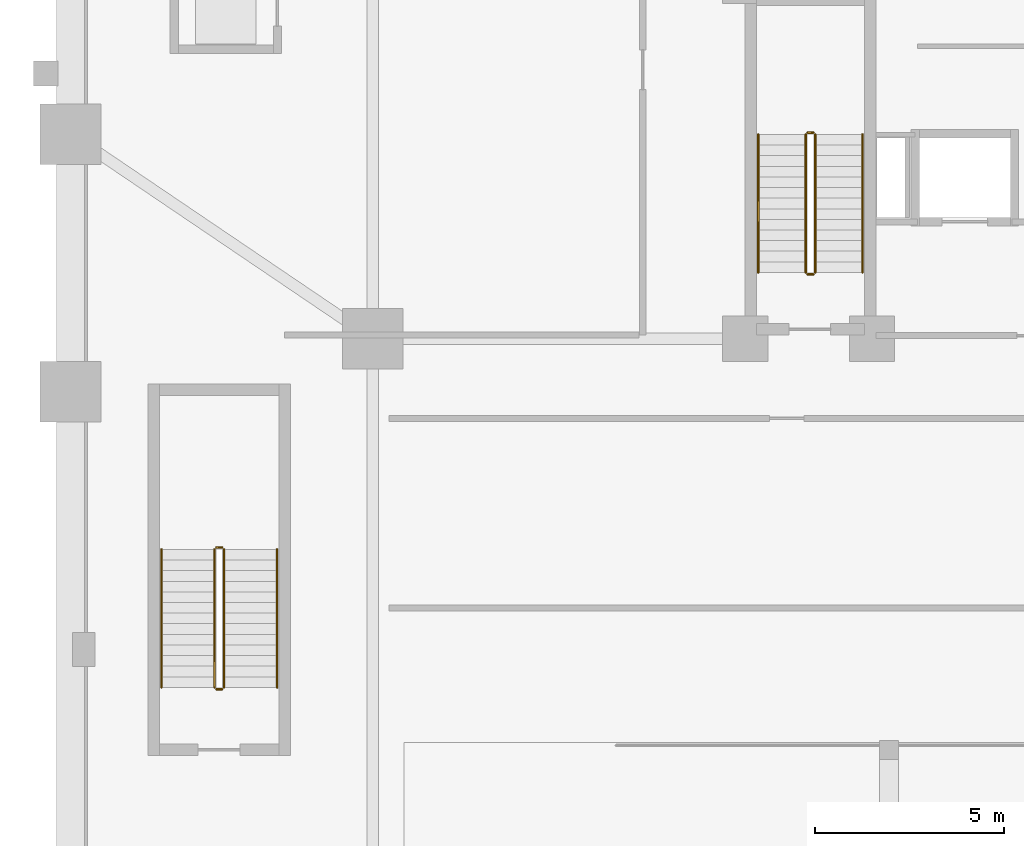
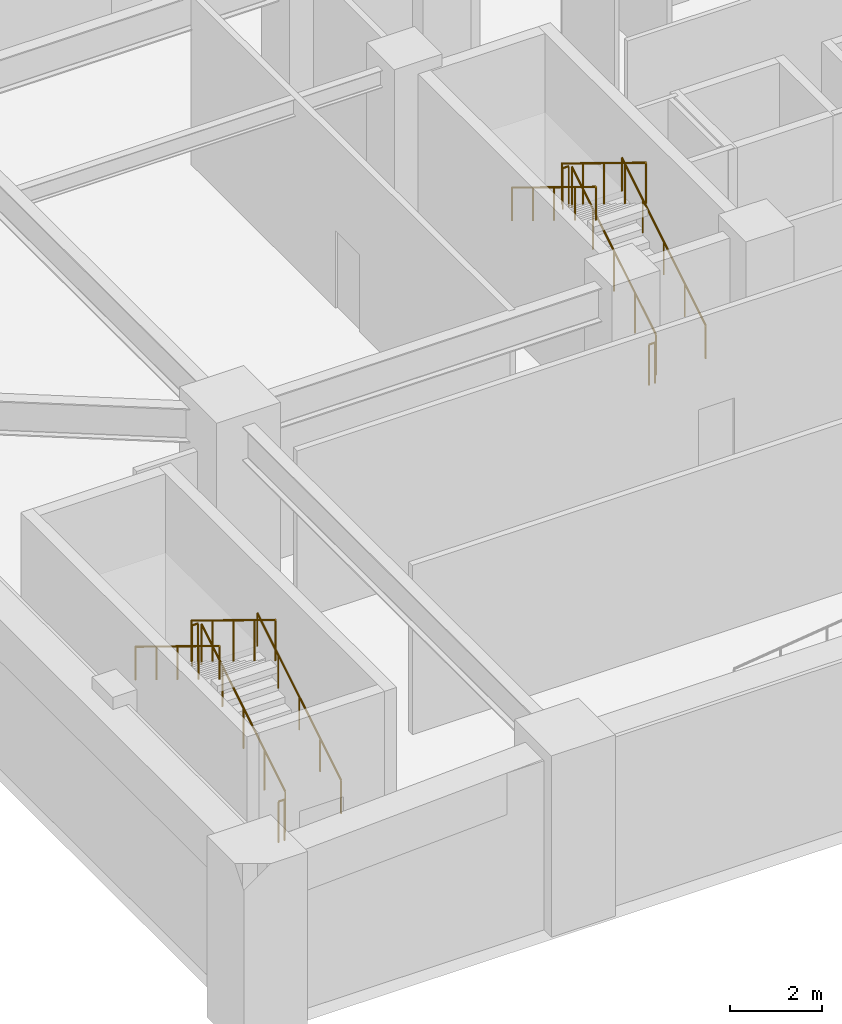
# One storey, part 5 of 8: 12 railings.
"""IFC4 building model written with IfcOpenShell, lengths in metres."""

from ifc_helpers import new_model, si_unit, derived_unit, direction, frame, origin, origin_2d, place, context, subcontext, project, spatial, circle, extrude, material, type_object, element, save


model = new_model("IFC4")

# Units and contexts
model_context = context("Model", 3, precision=1e-05, world=origin(), true_north=direction((0.0, 1.0)))
body_context = subcontext(model_context, "Body", "Model", "MODEL_VIEW")
ifc_project = project(units=[si_unit("LENGTHUNIT", "METRE"), si_unit("AREAUNIT", "SQUARE_METRE"), si_unit("VOLUMEUNIT", "CUBIC_METRE"), si_unit("PLANEANGLEUNIT", "RADIAN"), si_unit("MASSUNIT", "GRAM", prefix="KILO"), derived_unit("THERMALTRANSMITTANCEUNIT", [(si_unit("MASSUNIT", "GRAM", prefix="KILO"), 1), (si_unit("TIMEUNIT", "SECOND"), -3), (si_unit("THERMODYNAMICTEMPERATUREUNIT", "KELVIN"), -1)])], contexts=[model_context])

# Site, building, storey
site_placement = place(None, origin())
site = spatial("IfcSite", under=ifc_project, at=site_placement, CompositionType="ELEMENT")
building_placement = place(site_placement, origin())
building = spatial("IfcBuilding", under=site, at=building_placement, Name="Korrvale Station Residences", CompositionType="ELEMENT")
storey_placement = place(building_placement, frame((0.0, 0.0, -4.800048828125)))
storey = spatial("IfcBuildingStorey", under=building, at=storey_placement, Name="B01", CompositionType="ELEMENT", Elevation=-4.800048828125)

# Railings
ifc_material_1 = material(Name="Brushed stainless-steel continuous stair handrail", Category="steel")
railing_type_1 = type_object("IfcRailingType", Name="RLG-SHND-900", PredefinedType="HANDRAIL", material=ifc_material_1)
railing_1_placement = place(storey_placement, frame((20.89990234375, 16.75, 0.17138671875)))
element("IfcRailing", 1, at=railing_1_placement, inside=storey, type_object=railing_type_1, Name="B01 ST-1 stair handrail 1", PredefinedType="HANDRAIL", context=body_context, shape_type="SweptSolid", body=[
    extrude(circle(Radius=0.02392578125, at=origin_2d()), frame((0.0, 0.0, 0.8759765625), z_axis=(0.0, 0.852824790078, 0.522197163366), x_axis=(-1.0, 0.0, 0.0)), (0.0, 0.0, 1.0), 4.26806640625),
    extrude(circle(Radius=0.02099609375, at=origin_2d()), origin(), (0.0, 0.0, 1.0), 0.851806640625),
    extrude(circle(Radius=0.02099609375, at=origin_2d()), frame((0.0, 0.909912109375, 0.55712890625)), (0.0, 0.0, 1.0), 0.851806640625),
    extrude(circle(Radius=0.02099609375, at=origin_2d()), frame((0.0, 1.81982421875, 1.1142578125)), (0.0, 0.0, 1.0), 0.851806640625),
    extrude(circle(Radius=0.02099609375, at=origin_2d()), frame((0.0, 2.72998046875, 1.671630859375)), (0.0, 0.0, 1.0), 0.851806640625),
    extrude(circle(Radius=0.02099609375, at=origin_2d()), frame((0.0, 3.639892578125, 2.228759765625)), (0.0, 0.0, 1.0), 0.851806640625),
])
railing_2_placement = place(storey_placement, frame((18.14990234375, 20.389892578125, 2.571533203125)))
element("IfcRailing", 2, at=railing_2_placement, inside=storey, type_object=railing_type_1, Name="B01 ST-1 stair handrail 2", PredefinedType="HANDRAIL", context=body_context, shape_type="SweptSolid", body=[
    extrude(circle(Radius=0.02392578125, at=origin_2d()), frame((0.0, 0.0, 0.8759765625), z_axis=(0.0, -0.852850264322, 0.5221555579), x_axis=(1.0, 0.0, 0.0)), (0.0, 0.0, 1.0), 4.267822265625),
    extrude(circle(Radius=0.02099609375, at=origin_2d()), origin(), (0.0, 0.0, 1.0), 0.851806640625),
    extrude(circle(Radius=0.02099609375, at=origin_2d()), frame((0.0, -0.909912109375, 0.55712890625)), (0.0, 0.0, 1.0), 0.851806640625),
    extrude(circle(Radius=0.02099609375, at=origin_2d()), frame((0.0, -1.81982421875, 1.1142578125)), (0.0, 0.0, 1.0), 0.851806640625),
    extrude(circle(Radius=0.02099609375, at=origin_2d()), frame((0.0, -2.72998046875, 1.67138671875)), (0.0, 0.0, 1.0), 0.851806640625),
    extrude(circle(Radius=0.02099609375, at=origin_2d()), frame((0.0, -3.639892578125, 2.228515625)), (0.0, 0.0, 1.0), 0.851806640625),
])
railing_3_placement = place(storey_placement, frame((5.449951171875, 5.800048828125, 0.17138671875)))
element("IfcRailing", 3, at=railing_3_placement, inside=storey, type_object=railing_type_1, Name="B01 ST-3 stair handrail 1", PredefinedType="HANDRAIL", context=body_context, shape_type="SweptSolid", body=[
    extrude(circle(Radius=0.02392578125, at=origin_2d()), frame((0.0, 0.0, 0.8759765625), z_axis=(0.0, 0.852824790078, 0.522197163366), x_axis=(-1.0, 0.0, 0.0)), (0.0, 0.0, 1.0), 4.26806640625),
    extrude(circle(Radius=0.02099609375, at=origin_2d()), origin(), (0.0, 0.0, 1.0), 0.851806640625),
    extrude(circle(Radius=0.02099609375, at=origin_2d()), frame((0.0, 0.909912109375, 0.55712890625)), (0.0, 0.0, 1.0), 0.851806640625),
    extrude(circle(Radius=0.02099609375, at=origin_2d()), frame((0.0, 1.81982421875, 1.1142578125)), (0.0, 0.0, 1.0), 0.851806640625),
    extrude(circle(Radius=0.02099609375, at=origin_2d()), frame((0.0, 2.72998046875, 1.671630859375)), (0.0, 0.0, 1.0), 0.851806640625),
    extrude(circle(Radius=0.02099609375, at=origin_2d()), frame((0.0, 3.639892578125, 2.228759765625)), (0.0, 0.0, 1.0), 0.851806640625),
])
railing_4_placement = place(storey_placement, frame((2.39990234375, 9.43994140625, 2.571533203125)))
element("IfcRailing", 4, at=railing_4_placement, inside=storey, type_object=railing_type_1, Name="B01 ST-3 stair handrail 2", PredefinedType="HANDRAIL", context=body_context, shape_type="SweptSolid", body=[
    extrude(circle(Radius=0.02392578125, at=origin_2d()), frame((0.0, 0.0, 0.8759765625), z_axis=(0.0, -0.852850264322, 0.5221555579), x_axis=(1.0, 0.0, 0.0)), (0.0, 0.0, 1.0), 4.267822265625),
    extrude(circle(Radius=0.02099609375, at=origin_2d()), origin(), (0.0, 0.0, 1.0), 0.851806640625),
    extrude(circle(Radius=0.02099609375, at=origin_2d()), frame((0.0, -0.909912109375, 0.55712890625)), (0.0, 0.0, 1.0), 0.851806640625),
    extrude(circle(Radius=0.02099609375, at=origin_2d()), frame((0.0, -1.81982421875, 1.1142578125)), (0.0, 0.0, 1.0), 0.851806640625),
    extrude(circle(Radius=0.02099609375, at=origin_2d()), frame((0.0, -2.72998046875, 1.67138671875)), (0.0, 0.0, 1.0), 0.851806640625),
    extrude(circle(Radius=0.02099609375, at=origin_2d()), frame((0.0, -3.639892578125, 2.228515625)), (0.0, 0.0, 1.0), 0.851806640625),
])
ifc_material_2 = material(Name="Galvanised painted tubular steel stair guard", Category="steel")
railing_type_2 = type_object("IfcRailingType", Name="RLG-STR-1100", PredefinedType="GUARDRAIL", material=ifc_material_2)
railing_5_placement = place(storey_placement, frame((19.64990234375, 16.75, 0.17138671875)))
element("IfcRailing", 5, at=railing_5_placement, inside=storey, type_object=railing_type_2, Name="B01 ST-1 stair guard 1", PredefinedType="GUARDRAIL", context=body_context, shape_type="SweptSolid", body=[
    extrude(circle(Radius=0.02392578125, at=origin_2d()), frame((0.0, 0.0, 1.076171875), z_axis=(0.0, 0.852824790078, 0.522197163366), x_axis=(-1.0, 0.0, 0.0)), (0.0, 0.0, 1.0), 4.26806640625),
    extrude(circle(Radius=0.02099609375, at=origin_2d()), origin(), (0.0, 0.0, 1.0), 1.052001953125),
    extrude(circle(Radius=0.02099609375, at=origin_2d()), frame((0.0, 0.909912109375, 0.55712890625)), (0.0, 0.0, 1.0), 1.052001953125),
    extrude(circle(Radius=0.02099609375, at=origin_2d()), frame((0.0, 1.81982421875, 1.1142578125)), (0.0, 0.0, 1.0), 1.052001953125),
    extrude(circle(Radius=0.02099609375, at=origin_2d()), frame((0.0, 2.72998046875, 1.671630859375)), (0.0, 0.0, 1.0), 1.052001953125),
    extrude(circle(Radius=0.02099609375, at=origin_2d()), frame((0.0, 3.639892578125, 2.228759765625)), (0.0, 0.0, 1.0), 1.052001953125),
])
railing_6_placement = place(storey_placement, frame((19.60009765625, 20.43994140625, 2.400146484375)))
element("IfcRailing", 6, at=railing_6_placement, inside=storey, type_object=railing_type_2, Name="B01 ST-1 stair guard 2", PredefinedType="GUARDRAIL", context=body_context, shape_type="SweptSolid", body=[
    extrude(circle(Radius=0.02392578125, at=origin_2d()), frame((0.0, 0.0, 1.076171875), z_axis=(-1.0, 0.0, 0.0), x_axis=(0.0, -1.0, 0.0)), (0.0, 0.0, 1.0), 0.150146484375),
    extrude(circle(Radius=0.02099609375, at=origin_2d()), origin(), (0.0, 0.0, 1.0), 1.052001953125),
    extrude(circle(Radius=0.02099609375, at=origin_2d()), frame((-0.150146484375, 0.0, 0.0)), (0.0, 0.0, 1.0), 1.052001953125),
])
railing_7_placement = place(storey_placement, frame((19.39990234375, 20.389892578125, 2.571533203125)))
element("IfcRailing", 7, at=railing_7_placement, inside=storey, type_object=railing_type_2, Name="B01 ST-1 stair guard 3", PredefinedType="GUARDRAIL", context=body_context, shape_type="SweptSolid", body=[
    extrude(circle(Radius=0.02392578125, at=origin_2d()), frame((0.0, 0.0, 1.076171875), z_axis=(0.0, -0.852850264322, 0.5221555579), x_axis=(1.0, 0.0, 0.0)), (0.0, 0.0, 1.0), 4.267822265625),
    extrude(circle(Radius=0.02099609375, at=origin_2d()), origin(), (0.0, 0.0, 1.0), 1.052001953125),
    extrude(circle(Radius=0.02099609375, at=origin_2d()), frame((0.0, -0.909912109375, 0.55712890625)), (0.0, 0.0, 1.0), 1.052001953125),
    extrude(circle(Radius=0.02099609375, at=origin_2d()), frame((0.0, -1.81982421875, 1.1142578125)), (0.0, 0.0, 1.0), 1.052001953125),
    extrude(circle(Radius=0.02099609375, at=origin_2d()), frame((0.0, -2.72998046875, 1.67138671875)), (0.0, 0.0, 1.0), 1.052001953125),
    extrude(circle(Radius=0.02099609375, at=origin_2d()), frame((0.0, -3.639892578125, 2.228515625)), (0.0, 0.0, 1.0), 1.052001953125),
])
railing_8_placement = place(storey_placement, frame((19.60009765625, 16.699951171875, 0.0)))
element("IfcRailing", 8, at=railing_8_placement, inside=storey, type_object=railing_type_2, Name="B01 ST-1 stair guard 4", PredefinedType="GUARDRAIL", context=body_context, shape_type="SweptSolid", body=[
    extrude(circle(Radius=0.02392578125, at=origin_2d()), frame((0.0, 0.0, 1.076171875), z_axis=(-1.0, 0.0, 0.0), x_axis=(0.0, -1.0, 0.0)), (0.0, 0.0, 1.0), 0.150146484375),
    extrude(circle(Radius=0.02099609375, at=origin_2d()), origin(), (0.0, 0.0, 1.0), 1.052001953125),
    extrude(circle(Radius=0.02099609375, at=origin_2d()), frame((-0.150146484375, 0.0, 0.0)), (0.0, 0.0, 1.0), 1.052001953125),
])
railing_9_placement = place(storey_placement, frame((4.050048828125, 5.800048828125, 0.17138671875)))
element("IfcRailing", 9, at=railing_9_placement, inside=storey, type_object=railing_type_2, Name="B01 ST-3 stair guard 1", PredefinedType="GUARDRAIL", context=body_context, shape_type="SweptSolid", body=[
    extrude(circle(Radius=0.02392578125, at=origin_2d()), frame((0.0, 0.0, 1.076171875), z_axis=(0.0, 0.852824790078, 0.522197163366), x_axis=(-1.0, 0.0, 0.0)), (0.0, 0.0, 1.0), 4.26806640625),
    extrude(circle(Radius=0.02099609375, at=origin_2d()), origin(), (0.0, 0.0, 1.0), 1.052001953125),
    extrude(circle(Radius=0.02099609375, at=origin_2d()), frame((0.0, 0.909912109375, 0.55712890625)), (0.0, 0.0, 1.0), 1.052001953125),
    extrude(circle(Radius=0.02099609375, at=origin_2d()), frame((0.0, 1.81982421875, 1.1142578125)), (0.0, 0.0, 1.0), 1.052001953125),
    extrude(circle(Radius=0.02099609375, at=origin_2d()), frame((0.0, 2.72998046875, 1.671630859375)), (0.0, 0.0, 1.0), 1.052001953125),
    extrude(circle(Radius=0.02099609375, at=origin_2d()), frame((0.0, 3.639892578125, 2.228759765625)), (0.0, 0.0, 1.0), 1.052001953125),
])
railing_10_placement = place(storey_placement, frame((4.0, 9.489990234375, 2.400146484375)))
element("IfcRailing", 10, at=railing_10_placement, inside=storey, type_object=railing_type_2, Name="B01 ST-3 stair guard 2", PredefinedType="GUARDRAIL", context=body_context, shape_type="SweptSolid", body=[
    extrude(circle(Radius=0.02392578125, at=origin_2d()), frame((0.0, 0.0, 1.076171875), z_axis=(-1.0, 0.0, 0.0), x_axis=(0.0, -1.0, 0.0)), (0.0, 0.0, 1.0), 0.14990234375),
    extrude(circle(Radius=0.02099609375, at=origin_2d()), origin(), (0.0, 0.0, 1.0), 1.052001953125),
    extrude(circle(Radius=0.02099609375, at=origin_2d()), frame((-0.14990234375, 0.0, 0.0)), (0.0, 0.0, 1.0), 1.052001953125),
])
railing_11_placement = place(storey_placement, frame((3.800048828125, 9.43994140625, 2.571533203125)))
element("IfcRailing", 11, at=railing_11_placement, inside=storey, type_object=railing_type_2, Name="B01 ST-3 stair guard 3", PredefinedType="GUARDRAIL", context=body_context, shape_type="SweptSolid", body=[
    extrude(circle(Radius=0.02392578125, at=origin_2d()), frame((0.0, 0.0, 1.076171875), z_axis=(0.0, -0.852850264322, 0.5221555579), x_axis=(1.0, 0.0, 0.0)), (0.0, 0.0, 1.0), 4.267822265625),
    extrude(circle(Radius=0.02099609375, at=origin_2d()), origin(), (0.0, 0.0, 1.0), 1.052001953125),
    extrude(circle(Radius=0.02099609375, at=origin_2d()), frame((0.0, -0.909912109375, 0.55712890625)), (0.0, 0.0, 1.0), 1.052001953125),
    extrude(circle(Radius=0.02099609375, at=origin_2d()), frame((0.0, -1.81982421875, 1.1142578125)), (0.0, 0.0, 1.0), 1.052001953125),
    extrude(circle(Radius=0.02099609375, at=origin_2d()), frame((0.0, -2.72998046875, 1.67138671875)), (0.0, 0.0, 1.0), 1.052001953125),
    extrude(circle(Radius=0.02099609375, at=origin_2d()), frame((0.0, -3.639892578125, 2.228515625)), (0.0, 0.0, 1.0), 1.052001953125),
])
railing_12_placement = place(storey_placement, frame((4.0, 5.75, 0.0)))
element("IfcRailing", 12, at=railing_12_placement, inside=storey, type_object=railing_type_2, Name="B01 ST-3 stair guard 4", PredefinedType="GUARDRAIL", context=body_context, shape_type="SweptSolid", body=[
    extrude(circle(Radius=0.02392578125, at=origin_2d()), frame((0.0, 0.0, 1.076171875), z_axis=(-1.0, 0.0, 0.0), x_axis=(0.0, -1.0, 0.0)), (0.0, 0.0, 1.0), 0.14990234375),
    extrude(circle(Radius=0.02099609375, at=origin_2d()), origin(), (0.0, 0.0, 1.0), 1.052001953125),
    extrude(circle(Radius=0.02099609375, at=origin_2d()), frame((-0.14990234375, 0.0, 0.0)), (0.0, 0.0, 1.0), 1.052001953125),
])

save(model, "model.ifc")
